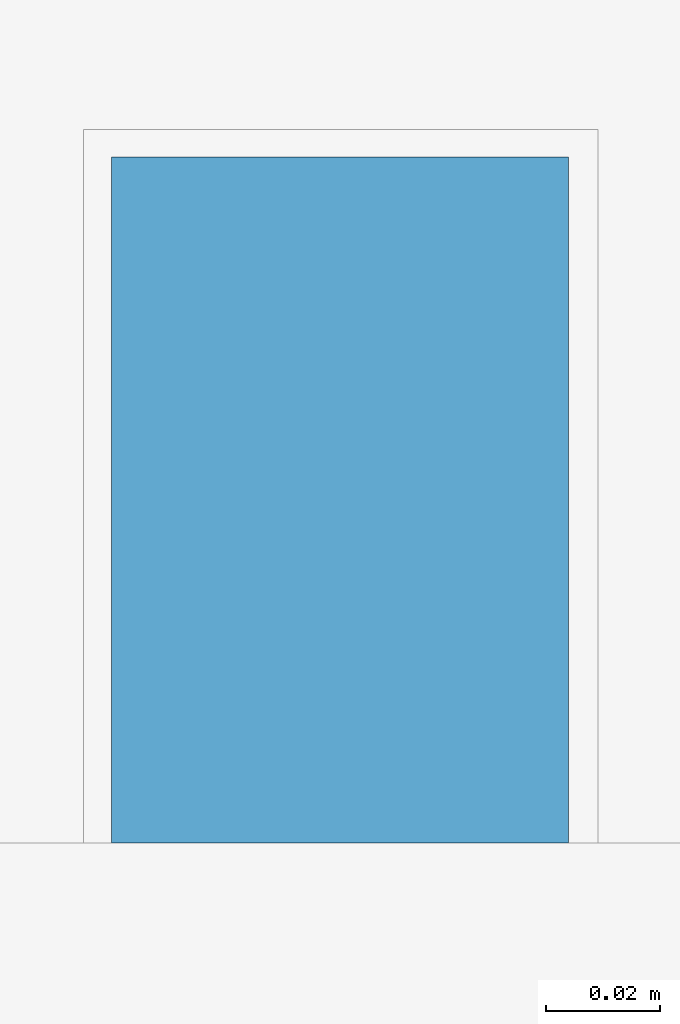
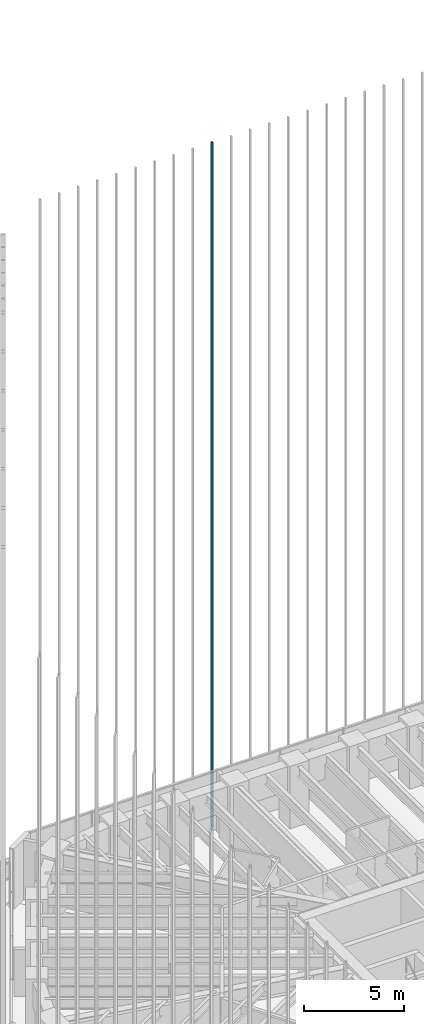
# One storey, part 78 of 127: 1 member, 1 element without a shape of its own.
"""IFC4 building model written with IfcOpenShell, lengths in metres."""

from ifc_helpers import new_model, si_unit, direction, frame, origin, origin_2d, place, context, subcontext, project, spatial, rectangle, extrude, material, material_profile, profile_set, type_object, element, aggregate, save


model = new_model("IFC4")

# Units and contexts
model_context = context("Model", 3, precision=1e-05, world=origin(), true_north=direction((0.0, 1.0)))
body_context = subcontext(model_context, "Body", "Model", "MODEL_VIEW")
ifc_project = project(units=[si_unit("LENGTHUNIT", "METRE"), si_unit("AREAUNIT", "SQUARE_METRE"), si_unit("VOLUMEUNIT", "CUBIC_METRE"), si_unit("PLANEANGLEUNIT", "RADIAN"), si_unit("MASSUNIT", "GRAM", prefix="KILO")], contexts=[model_context])

# Site, building, storey
site_placement = place(None, origin())
site = spatial("IfcSite", under=ifc_project, at=site_placement, CompositionType="ELEMENT")
building_placement = place(site_placement, origin())
building = spatial("IfcBuilding", under=site, at=building_placement, Name="Sandreach Pilgrim Tower", CompositionType="ELEMENT")
storey_placement = place(building_placement, frame((0.0, 0.0, 257.0)))
storey = spatial("IfcBuildingStorey", under=building, at=storey_placement, Name="L64", CompositionType="ELEMENT", Elevation=257.0)

# Curtain wall, member
ifc_material_1 = material(Name="Aluminium framed curtain wall", Category="aluminium")
curtain_wall_type = type_object("IfcCurtainWallType", Name="Suite tower curtain wall", PredefinedType="NOTDEFINED", material=ifc_material_1)
curtain_wall_placement = place(storey_placement, origin())
curtain_wall = element("IfcCurtainWall", 1, at=curtain_wall_placement, inside=storey, type_object=curtain_wall_type, Name="CW-4 L64 N", PredefinedType="NOTDEFINED")
ifc_material_2 = material(Name="Extruded terracotta on aluminium core", Category="masonry")
ifc_material_profile = material_profile(ifc_material_2, rectangle(XDim=0.080078125, YDim=0.1201171875, at=origin_2d()), Name="TBN 80X120")
ifc_profile_set = profile_set([ifc_material_profile], Name="Extruded terracotta on aluminium core")
member_type = type_object("IfcMemberType", Name="Terracotta baguette north", PredefinedType="USERDEFINED", material=ifc_profile_set)
member_placement = place(storey_placement, frame((-5.502197265625, 20.1865234375, 0.0), z_axis=(0.0, 0.0, 1.0), x_axis=(1.0, 0.0, 0.0)))
member = element("IfcMember", 2, at=member_placement, type_object=member_type, Name="Baguette Z4 N10", ObjectType="BAGUETTE", PredefinedType="USERDEFINED", context=body_context, shape_type="SweptSolid", body=[
    extrude(rectangle(XDim=0.080078125, YDim=0.1201171875, at=origin_2d()), origin(), (0.0, 0.0, 1.0), 41.639892578125),
])
aggregate(curtain_wall, [member])

save(model, "model.ifc")
